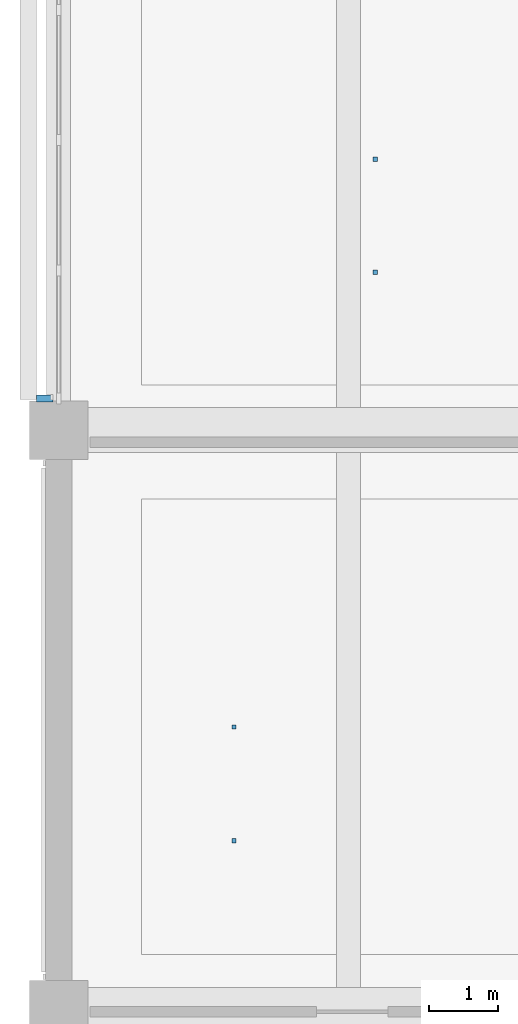
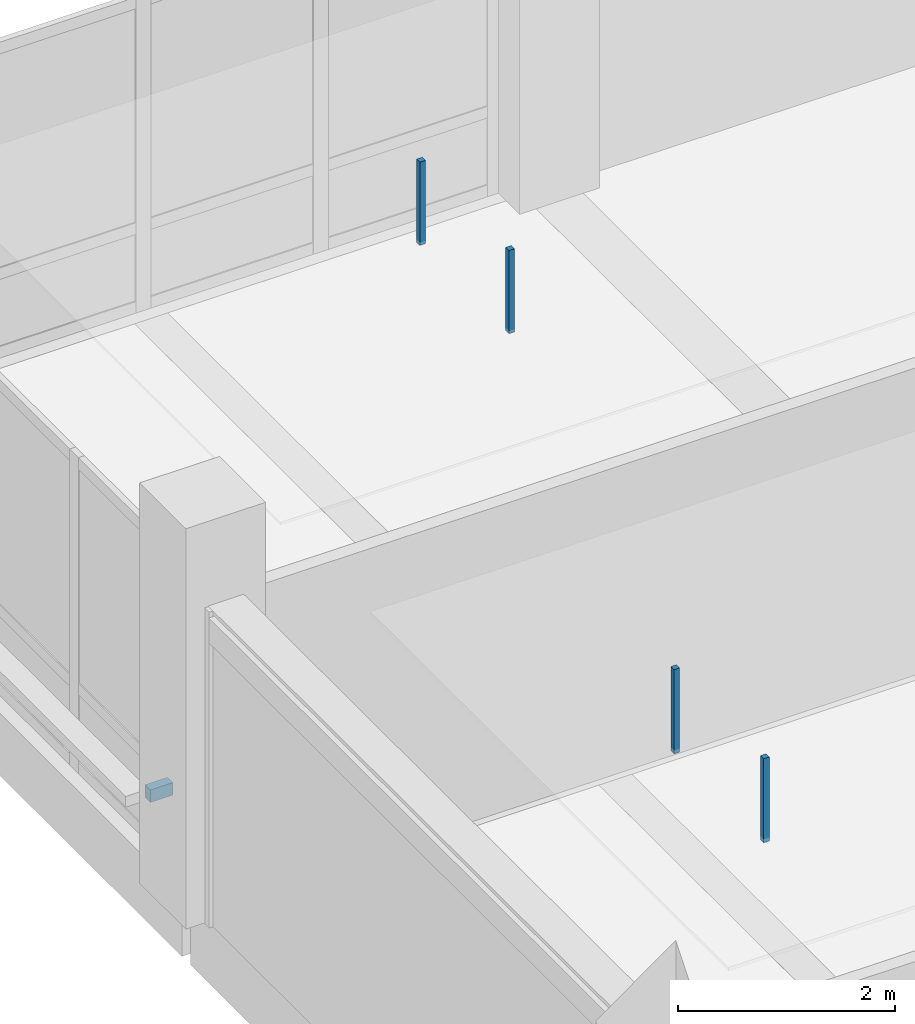
# One storey, part 16 of 36: 5 discrete accessories.
"""IFC4 building model written with IfcOpenShell, lengths in metres."""

from ifc_helpers import new_model, si_unit, direction, frame, origin, origin_2d, place, context, subcontext, project, spatial, rectangle, extrude, material, type_object, element, save


model = new_model("IFC4")

# Units and contexts
model_context = context("Model", 3, precision=1e-05, world=origin(), true_north=direction((0.0, 1.0)))
body_context = subcontext(model_context, "Body", "Model", "MODEL_VIEW")
ifc_project = project(units=[si_unit("LENGTHUNIT", "METRE"), si_unit("AREAUNIT", "SQUARE_METRE"), si_unit("VOLUMEUNIT", "CUBIC_METRE"), si_unit("PLANEANGLEUNIT", "RADIAN"), si_unit("MASSUNIT", "GRAM", prefix="KILO")], contexts=[model_context])

# Site, building, storey
site_placement = place(None, origin())
site = spatial("IfcSite", under=ifc_project, at=site_placement, CompositionType="ELEMENT")
building_placement = place(site_placement, origin())
building = spatial("IfcBuilding", under=site, at=building_placement, Name="Telukmera Botanical Conservatory", CompositionType="ELEMENT")
storey_placement = place(building_placement, frame((0.0, 0.0, 24.0)))
storey = spatial("IfcBuildingStorey", under=building, at=storey_placement, Name="L05", CompositionType="ELEMENT", Elevation=24.0)

# Discrete accessories
ifc_material = material(Name="Steel S355", Category="steel")
discrete_accessory_type_1 = type_object("IfcDiscreteAccessoryType", Name="ACC-CEIL-HGR", PredefinedType="BRACKET", material=ifc_material)
for number, where, z_axis, x_axis, name in (
    (1, (52.94189453125, 28.449951171875, 3.31005859375), (0.0, 0.0, 1.0), (1.0, 0.0, 0.0), "L05 Suspended Ceiling Hanger Rod 018-1"),
    (2, (52.94189453125, 30.10009765625, 3.31005859375), (0.0, 0.0, 1.0), (1.0, 0.0, 0.0), "L05 Suspended Ceiling Hanger Rod 018-2"),
):
    element("IfcDiscreteAccessory", number, at=place(storey_placement, frame(where, z_axis=z_axis, x_axis=x_axis)), inside=storey, type_object=discrete_accessory_type_1, Name=name, PredefinedType="BRACKET", context=body_context, shape_type="SweptSolid", body=[
        extrude(rectangle(XDim=0.06005859375, YDim=0.06005859375, at=origin_2d()), origin(), (0.0, 0.0, 1.0), 0.945068359375),
    ])
for number, where, z_axis, x_axis, name in (
    (3, (54.988037109375, 36.6875, 3.320068359375), (0.0, 0.0, 1.0), (1.0, 0.0, 0.0), "L05 Suspended Ceiling Hanger Rod 037-1"),
    (4, (54.988037109375, 38.324951171875, 3.320068359375), (0.0, 0.0, 1.0), (1.0, 0.0, 0.0), "L05 Suspended Ceiling Hanger Rod 037-2"),
):
    element("IfcDiscreteAccessory", number, at=place(storey_placement, frame(where, z_axis=z_axis, x_axis=x_axis)), inside=storey, type_object=discrete_accessory_type_1, Name=name, PredefinedType="BRACKET", context=body_context, shape_type="SweptSolid", body=[
        extrude(rectangle(XDim=0.06005859375, YDim=0.06005859375, at=origin_2d()), origin(), (0.0, 0.0, 1.0), 0.93505859375),
    ])
discrete_accessory_type_2 = type_object("IfcDiscreteAccessoryType", Name="Structural Steel Facade Outrigger Fin Bracket", PredefinedType="BRACKET", material=ifc_material)
discrete_accessory_placement = place(storey_placement, frame((50.199951171875, 34.859619140625, 0.8798828125), z_axis=(0.0, 0.0, 1.0), x_axis=(0.0, 1.0, 0.0)))
element("IfcDiscreteAccessory", 5, at=discrete_accessory_placement, inside=storey, type_object=discrete_accessory_type_2, Name="Facade Outrigger Bracket V4:L05:W4 A", PredefinedType="BRACKET", context=body_context, shape_type="SweptSolid", body=[
    extrude(rectangle(XDim=0.10009765625, YDim=0.239990234375, at=origin_2d()), origin(), (0.0, 0.0, 1.0), 0.139892578125),
])

save(model, "model.ifc")
